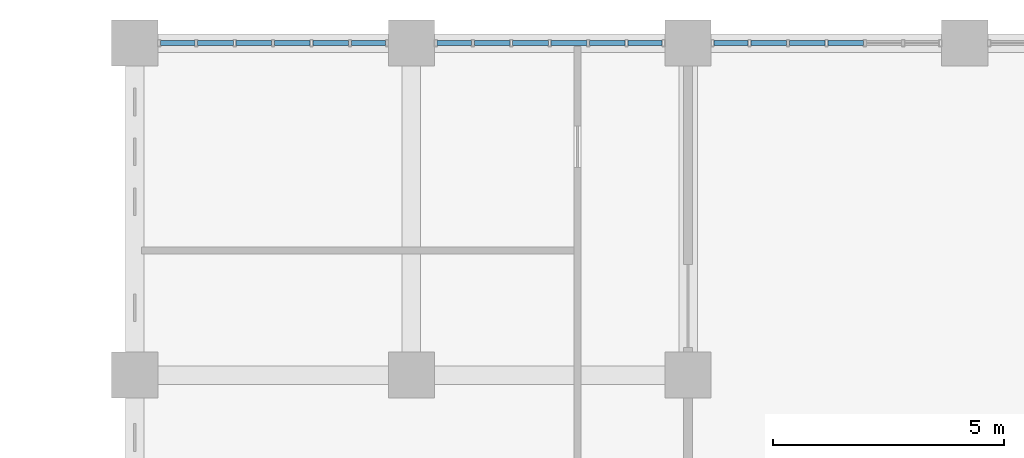
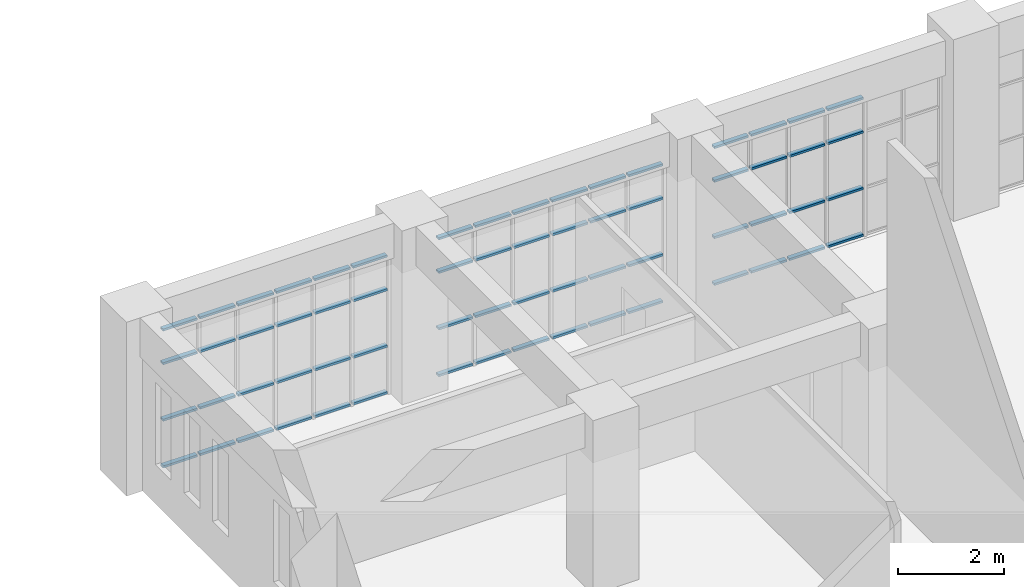
# One storey, part 51 of 92: 64 members, 3 elements without a shape of their own.
"""IFC4 building model written with IfcOpenShell, lengths in metres."""

from ifc_helpers import new_model, si_unit, direction, frame, origin, origin_2d, place, context, subcontext, project, spatial, hollow_rectangle, extrude, material, material_profile, profile_set, type_object, element, aggregate, save


model = new_model("IFC4")

# Units and contexts
model_context = context("Model", 3, precision=1e-05, world=origin(), true_north=direction((0.0, 1.0)))
body_context = subcontext(model_context, "Body", "Model", "MODEL_VIEW")
ifc_project = project(units=[si_unit("LENGTHUNIT", "METRE"), si_unit("AREAUNIT", "SQUARE_METRE"), si_unit("VOLUMEUNIT", "CUBIC_METRE"), si_unit("PLANEANGLEUNIT", "RADIAN"), si_unit("MASSUNIT", "GRAM", prefix="KILO")], contexts=[model_context])

# Site, building, storey
site_placement = place(None, origin())
site = spatial("IfcSite", under=ifc_project, at=site_placement, CompositionType="ELEMENT")
building_placement = place(site_placement, origin())
building = spatial("IfcBuilding", under=site, at=building_placement, Name="Laocheng Heights Fire and Rescue Headquarters", CompositionType="ELEMENT")
storey_placement = place(building_placement, frame((0.0, 0.0, 12.60009765625)))
storey = spatial("IfcBuildingStorey", under=building, at=storey_placement, Name="L03", CompositionType="ELEMENT", Elevation=12.60009765625)

# Curtain wall, members
ifc_material_1 = material(Name="Dark anodised aluminium unitised curtain wall, low-e double glazing", Category="aluminium")
curtain_wall_type = type_object("IfcCurtainWallType", Name="CW 5000 x 3200 HQ CONTROL ROOM FACE", PredefinedType="NOTDEFINED", material=ifc_material_1)
curtain_wall_1_placement = place(storey_placement, origin())
curtain_wall_1 = element("IfcCurtainWall", 1, at=curtain_wall_1_placement, inside=storey, type_object=curtain_wall_type, Name="X21-X HQ NORTH L03", PredefinedType="NOTDEFINED")
ifc_material_2 = material(Name="Dark anodised aluminium 6063-T5 extrusion", Category="aluminium")
ifc_material_profile = material_profile(ifc_material_2, hollow_rectangle(XDim=0.10009765625, YDim=0.050048828125, WallThickness=0.0029296875, at=origin_2d()), Name="AL TRANSOM 100x50x3 HQ CONTROL ROOM FACE")
ifc_profile_set = profile_set([ifc_material_profile], Name="Dark anodised aluminium 6063-T5 extrusion")
member_type = type_object("IfcMemberType", Name="AL TRANSOM 100x50x3 HQ CONTROL ROOM FACE", PredefinedType="USERDEFINED", material=ifc_profile_set)
member_1_placement = place(storey_placement, frame((36.56005859375, 72.0, 0.02490234375), z_axis=(1.0, 0.0, 0.0), x_axis=(0.0, 1.0, 0.0)))
member_1 = element("IfcMember", 2, at=member_1_placement, type_object=member_type, Name="X21-X transom 1.1", ObjectType="TRANSOM", PredefinedType="USERDEFINED", context=body_context, shape_type="SweptSolid", body=[
    extrude(hollow_rectangle(XDim=0.10009765625, YDim=0.050048828125, WallThickness=0.0029296875, at=origin_2d()), origin(), (0.0, 0.0, 1.0), 0.7431640625),
])
member_2_placement = place(storey_placement, frame((36.56005859375, 72.0, 1.099853515625), z_axis=(1.0, 0.0, 0.0), x_axis=(0.0, 1.0, 0.0)))
member_2 = element("IfcMember", 3, at=member_2_placement, type_object=member_type, Name="X21-X transom 1.2", ObjectType="TRANSOM", PredefinedType="USERDEFINED", context=body_context, shape_type="SweptSolid", body=[
    extrude(hollow_rectangle(XDim=0.10009765625, YDim=0.050048828125, WallThickness=0.0029296875, at=origin_2d()), origin(), (0.0, 0.0, 1.0), 0.7431640625),
])
member_3_placement = place(storey_placement, frame((36.56005859375, 72.0, 2.39990234375), z_axis=(1.0, 0.0, 0.0), x_axis=(0.0, 1.0, 0.0)))
member_3 = element("IfcMember", 4, at=member_3_placement, type_object=member_type, Name="X21-X transom 1.3", ObjectType="TRANSOM", PredefinedType="USERDEFINED", context=body_context, shape_type="SweptSolid", body=[
    extrude(hollow_rectangle(XDim=0.10009765625, YDim=0.050048828125, WallThickness=0.0029296875, at=origin_2d()), origin(), (0.0, 0.0, 1.0), 0.7431640625),
])
member_4_placement = place(storey_placement, frame((36.56005859375, 72.0, 3.1748046875), z_axis=(1.0, 0.0, 0.0), x_axis=(0.0, 1.0, 0.0)))
member_4 = element("IfcMember", 5, at=member_4_placement, type_object=member_type, Name="X21-X transom 1.4", ObjectType="TRANSOM", PredefinedType="USERDEFINED", context=body_context, shape_type="SweptSolid", body=[
    extrude(hollow_rectangle(XDim=0.10009765625, YDim=0.050048828125, WallThickness=0.0029296875, at=origin_2d()), origin(), (0.0, 0.0, 1.0), 0.7431640625),
])
member_5_placement = place(storey_placement, frame((37.36328125, 72.0, 0.02490234375), z_axis=(1.0, 0.0, 0.0), x_axis=(0.0, 1.0, 0.0)))
member_5 = element("IfcMember", 6, at=member_5_placement, type_object=member_type, Name="X21-X transom 2.1", ObjectType="TRANSOM", PredefinedType="USERDEFINED", context=body_context, shape_type="SweptSolid", body=[
    extrude(hollow_rectangle(XDim=0.10009765625, YDim=0.050048828125, WallThickness=0.0029296875, at=origin_2d()), origin(), (0.0, 0.0, 1.0), 0.7734375),
])
member_6_placement = place(storey_placement, frame((37.36328125, 72.0, 1.099853515625), z_axis=(1.0, 0.0, 0.0), x_axis=(0.0, 1.0, 0.0)))
member_6 = element("IfcMember", 7, at=member_6_placement, type_object=member_type, Name="X21-X transom 2.2", ObjectType="TRANSOM", PredefinedType="USERDEFINED", context=body_context, shape_type="SweptSolid", body=[
    extrude(hollow_rectangle(XDim=0.10009765625, YDim=0.050048828125, WallThickness=0.0029296875, at=origin_2d()), origin(), (0.0, 0.0, 1.0), 0.7734375),
])
member_7_placement = place(storey_placement, frame((37.36328125, 72.0, 2.39990234375), z_axis=(1.0, 0.0, 0.0), x_axis=(0.0, 1.0, 0.0)))
member_7 = element("IfcMember", 8, at=member_7_placement, type_object=member_type, Name="X21-X transom 2.3", ObjectType="TRANSOM", PredefinedType="USERDEFINED", context=body_context, shape_type="SweptSolid", body=[
    extrude(hollow_rectangle(XDim=0.10009765625, YDim=0.050048828125, WallThickness=0.0029296875, at=origin_2d()), origin(), (0.0, 0.0, 1.0), 0.7734375),
])
member_8_placement = place(storey_placement, frame((37.36328125, 72.0, 3.1748046875), z_axis=(1.0, 0.0, 0.0), x_axis=(0.0, 1.0, 0.0)))
member_8 = element("IfcMember", 9, at=member_8_placement, type_object=member_type, Name="X21-X transom 2.4", ObjectType="TRANSOM", PredefinedType="USERDEFINED", context=body_context, shape_type="SweptSolid", body=[
    extrude(hollow_rectangle(XDim=0.10009765625, YDim=0.050048828125, WallThickness=0.0029296875, at=origin_2d()), origin(), (0.0, 0.0, 1.0), 0.7734375),
])
member_9_placement = place(storey_placement, frame((38.19677734375, 72.0, 0.02490234375), z_axis=(1.0, 0.0, 0.0), x_axis=(0.0, 1.0, 0.0)))
member_9 = element("IfcMember", 10, at=member_9_placement, type_object=member_type, Name="X21-X transom 3.1", ObjectType="TRANSOM", PredefinedType="USERDEFINED", context=body_context, shape_type="SweptSolid", body=[
    extrude(hollow_rectangle(XDim=0.10009765625, YDim=0.050048828125, WallThickness=0.0029296875, at=origin_2d()), origin(), (0.0, 0.0, 1.0), 0.773193359375),
])
member_10_placement = place(storey_placement, frame((38.19677734375, 72.0, 1.099853515625), z_axis=(1.0, 0.0, 0.0), x_axis=(0.0, 1.0, 0.0)))
member_10 = element("IfcMember", 11, at=member_10_placement, type_object=member_type, Name="X21-X transom 3.2", ObjectType="TRANSOM", PredefinedType="USERDEFINED", context=body_context, shape_type="SweptSolid", body=[
    extrude(hollow_rectangle(XDim=0.10009765625, YDim=0.050048828125, WallThickness=0.0029296875, at=origin_2d()), origin(), (0.0, 0.0, 1.0), 0.773193359375),
])
member_11_placement = place(storey_placement, frame((38.19677734375, 72.0, 2.39990234375), z_axis=(1.0, 0.0, 0.0), x_axis=(0.0, 1.0, 0.0)))
member_11 = element("IfcMember", 12, at=member_11_placement, type_object=member_type, Name="X21-X transom 3.3", ObjectType="TRANSOM", PredefinedType="USERDEFINED", context=body_context, shape_type="SweptSolid", body=[
    extrude(hollow_rectangle(XDim=0.10009765625, YDim=0.050048828125, WallThickness=0.0029296875, at=origin_2d()), origin(), (0.0, 0.0, 1.0), 0.773193359375),
])
member_12_placement = place(storey_placement, frame((38.19677734375, 72.0, 3.1748046875), z_axis=(1.0, 0.0, 0.0), x_axis=(0.0, 1.0, 0.0)))
member_12 = element("IfcMember", 13, at=member_12_placement, type_object=member_type, Name="X21-X transom 3.4", ObjectType="TRANSOM", PredefinedType="USERDEFINED", context=body_context, shape_type="SweptSolid", body=[
    extrude(hollow_rectangle(XDim=0.10009765625, YDim=0.050048828125, WallThickness=0.0029296875, at=origin_2d()), origin(), (0.0, 0.0, 1.0), 0.773193359375),
])
member_13_placement = place(storey_placement, frame((39.030029296875, 72.0, 0.02490234375), z_axis=(1.0, 0.0, 0.0), x_axis=(0.0, 1.0, 0.0)))
member_13 = element("IfcMember", 14, at=member_13_placement, type_object=member_type, Name="X21-X transom 4.1", ObjectType="TRANSOM", PredefinedType="USERDEFINED", context=body_context, shape_type="SweptSolid", body=[
    extrude(hollow_rectangle(XDim=0.10009765625, YDim=0.050048828125, WallThickness=0.0029296875, at=origin_2d()), origin(), (0.0, 0.0, 1.0), 0.773193359375),
])
member_14_placement = place(storey_placement, frame((39.030029296875, 72.0, 1.099853515625), z_axis=(1.0, 0.0, 0.0), x_axis=(0.0, 1.0, 0.0)))
member_14 = element("IfcMember", 15, at=member_14_placement, type_object=member_type, Name="X21-X transom 4.2", ObjectType="TRANSOM", PredefinedType="USERDEFINED", context=body_context, shape_type="SweptSolid", body=[
    extrude(hollow_rectangle(XDim=0.10009765625, YDim=0.050048828125, WallThickness=0.0029296875, at=origin_2d()), origin(), (0.0, 0.0, 1.0), 0.773193359375),
])
member_15_placement = place(storey_placement, frame((39.030029296875, 72.0, 2.39990234375), z_axis=(1.0, 0.0, 0.0), x_axis=(0.0, 1.0, 0.0)))
member_15 = element("IfcMember", 16, at=member_15_placement, type_object=member_type, Name="X21-X transom 4.3", ObjectType="TRANSOM", PredefinedType="USERDEFINED", context=body_context, shape_type="SweptSolid", body=[
    extrude(hollow_rectangle(XDim=0.10009765625, YDim=0.050048828125, WallThickness=0.0029296875, at=origin_2d()), origin(), (0.0, 0.0, 1.0), 0.773193359375),
])
member_16_placement = place(storey_placement, frame((39.030029296875, 72.0, 3.1748046875), z_axis=(1.0, 0.0, 0.0), x_axis=(0.0, 1.0, 0.0)))
member_16 = element("IfcMember", 17, at=member_16_placement, type_object=member_type, Name="X21-X transom 4.4", ObjectType="TRANSOM", PredefinedType="USERDEFINED", context=body_context, shape_type="SweptSolid", body=[
    extrude(hollow_rectangle(XDim=0.10009765625, YDim=0.050048828125, WallThickness=0.0029296875, at=origin_2d()), origin(), (0.0, 0.0, 1.0), 0.773193359375),
])
member_17_placement = place(storey_placement, frame((39.86328125, 72.0, 0.02490234375), z_axis=(1.0, 0.0, 0.0), x_axis=(0.0, 1.0, 0.0)))
member_17 = element("IfcMember", 18, at=member_17_placement, type_object=member_type, Name="X21-X transom 5.1", ObjectType="TRANSOM", PredefinedType="USERDEFINED", context=body_context, shape_type="SweptSolid", body=[
    extrude(hollow_rectangle(XDim=0.10009765625, YDim=0.050048828125, WallThickness=0.0029296875, at=origin_2d()), origin(), (0.0, 0.0, 1.0), 0.7734375),
])
member_18_placement = place(storey_placement, frame((39.86328125, 72.0, 1.099853515625), z_axis=(1.0, 0.0, 0.0), x_axis=(0.0, 1.0, 0.0)))
member_18 = element("IfcMember", 19, at=member_18_placement, type_object=member_type, Name="X21-X transom 5.2", ObjectType="TRANSOM", PredefinedType="USERDEFINED", context=body_context, shape_type="SweptSolid", body=[
    extrude(hollow_rectangle(XDim=0.10009765625, YDim=0.050048828125, WallThickness=0.0029296875, at=origin_2d()), origin(), (0.0, 0.0, 1.0), 0.7734375),
])
member_19_placement = place(storey_placement, frame((39.86328125, 72.0, 2.39990234375), z_axis=(1.0, 0.0, 0.0), x_axis=(0.0, 1.0, 0.0)))
member_19 = element("IfcMember", 20, at=member_19_placement, type_object=member_type, Name="X21-X transom 5.3", ObjectType="TRANSOM", PredefinedType="USERDEFINED", context=body_context, shape_type="SweptSolid", body=[
    extrude(hollow_rectangle(XDim=0.10009765625, YDim=0.050048828125, WallThickness=0.0029296875, at=origin_2d()), origin(), (0.0, 0.0, 1.0), 0.7734375),
])
member_20_placement = place(storey_placement, frame((39.86328125, 72.0, 3.1748046875), z_axis=(1.0, 0.0, 0.0), x_axis=(0.0, 1.0, 0.0)))
member_20 = element("IfcMember", 21, at=member_20_placement, type_object=member_type, Name="X21-X transom 5.4", ObjectType="TRANSOM", PredefinedType="USERDEFINED", context=body_context, shape_type="SweptSolid", body=[
    extrude(hollow_rectangle(XDim=0.10009765625, YDim=0.050048828125, WallThickness=0.0029296875, at=origin_2d()), origin(), (0.0, 0.0, 1.0), 0.7734375),
])
member_21_placement = place(storey_placement, frame((40.69677734375, 72.0, 0.02490234375), z_axis=(1.0, 0.0, 0.0), x_axis=(0.0, 1.0, 0.0)))
member_21 = element("IfcMember", 22, at=member_21_placement, type_object=member_type, Name="X21-X transom 6.1", ObjectType="TRANSOM", PredefinedType="USERDEFINED", context=body_context, shape_type="SweptSolid", body=[
    extrude(hollow_rectangle(XDim=0.10009765625, YDim=0.050048828125, WallThickness=0.0029296875, at=origin_2d()), origin(), (0.0, 0.0, 1.0), 0.7431640625),
])
member_22_placement = place(storey_placement, frame((40.69677734375, 72.0, 1.099853515625), z_axis=(1.0, 0.0, 0.0), x_axis=(0.0, 1.0, 0.0)))
member_22 = element("IfcMember", 23, at=member_22_placement, type_object=member_type, Name="X21-X transom 6.2", ObjectType="TRANSOM", PredefinedType="USERDEFINED", context=body_context, shape_type="SweptSolid", body=[
    extrude(hollow_rectangle(XDim=0.10009765625, YDim=0.050048828125, WallThickness=0.0029296875, at=origin_2d()), origin(), (0.0, 0.0, 1.0), 0.7431640625),
])
member_23_placement = place(storey_placement, frame((40.69677734375, 72.0, 2.39990234375), z_axis=(1.0, 0.0, 0.0), x_axis=(0.0, 1.0, 0.0)))
member_23 = element("IfcMember", 24, at=member_23_placement, type_object=member_type, Name="X21-X transom 6.3", ObjectType="TRANSOM", PredefinedType="USERDEFINED", context=body_context, shape_type="SweptSolid", body=[
    extrude(hollow_rectangle(XDim=0.10009765625, YDim=0.050048828125, WallThickness=0.0029296875, at=origin_2d()), origin(), (0.0, 0.0, 1.0), 0.7431640625),
])
member_24_placement = place(storey_placement, frame((40.69677734375, 72.0, 3.1748046875), z_axis=(1.0, 0.0, 0.0), x_axis=(0.0, 1.0, 0.0)))
member_24 = element("IfcMember", 25, at=member_24_placement, type_object=member_type, Name="X21-X transom 6.4", ObjectType="TRANSOM", PredefinedType="USERDEFINED", context=body_context, shape_type="SweptSolid", body=[
    extrude(hollow_rectangle(XDim=0.10009765625, YDim=0.050048828125, WallThickness=0.0029296875, at=origin_2d()), origin(), (0.0, 0.0, 1.0), 0.7431640625),
])
aggregate(curtain_wall_1, [member_1, member_2, member_3, member_4, member_5, member_6, member_7, member_8, member_9, member_10, member_11, member_12, member_13, member_14, member_15, member_16, member_17, member_18, member_19, member_20, member_21, member_22, member_23, member_24])

curtain_wall_2_placement = place(storey_placement, origin())
curtain_wall_2 = element("IfcCurtainWall", 26, at=curtain_wall_2_placement, inside=storey, type_object=curtain_wall_type, Name="X21-X HQ NORTH L03", PredefinedType="NOTDEFINED")
member_25_placement = place(storey_placement, frame((42.56005859375, 72.0, 0.02490234375), z_axis=(1.0, 0.0, 0.0), x_axis=(0.0, 1.0, 0.0)))
member_25 = element("IfcMember", 27, at=member_25_placement, type_object=member_type, Name="X21-X transom 1.1", ObjectType="TRANSOM", PredefinedType="USERDEFINED", context=body_context, shape_type="SweptSolid", body=[
    extrude(hollow_rectangle(XDim=0.10009765625, YDim=0.050048828125, WallThickness=0.0029296875, at=origin_2d()), origin(), (0.0, 0.0, 1.0), 0.7431640625),
])
member_26_placement = place(storey_placement, frame((42.56005859375, 72.0, 1.099853515625), z_axis=(1.0, 0.0, 0.0), x_axis=(0.0, 1.0, 0.0)))
member_26 = element("IfcMember", 28, at=member_26_placement, type_object=member_type, Name="X21-X transom 1.2", ObjectType="TRANSOM", PredefinedType="USERDEFINED", context=body_context, shape_type="SweptSolid", body=[
    extrude(hollow_rectangle(XDim=0.10009765625, YDim=0.050048828125, WallThickness=0.0029296875, at=origin_2d()), origin(), (0.0, 0.0, 1.0), 0.7431640625),
])
member_27_placement = place(storey_placement, frame((42.56005859375, 72.0, 2.39990234375), z_axis=(1.0, 0.0, 0.0), x_axis=(0.0, 1.0, 0.0)))
member_27 = element("IfcMember", 29, at=member_27_placement, type_object=member_type, Name="X21-X transom 1.3", ObjectType="TRANSOM", PredefinedType="USERDEFINED", context=body_context, shape_type="SweptSolid", body=[
    extrude(hollow_rectangle(XDim=0.10009765625, YDim=0.050048828125, WallThickness=0.0029296875, at=origin_2d()), origin(), (0.0, 0.0, 1.0), 0.7431640625),
])
member_28_placement = place(storey_placement, frame((42.56005859375, 72.0, 3.1748046875), z_axis=(1.0, 0.0, 0.0), x_axis=(0.0, 1.0, 0.0)))
member_28 = element("IfcMember", 30, at=member_28_placement, type_object=member_type, Name="X21-X transom 1.4", ObjectType="TRANSOM", PredefinedType="USERDEFINED", context=body_context, shape_type="SweptSolid", body=[
    extrude(hollow_rectangle(XDim=0.10009765625, YDim=0.050048828125, WallThickness=0.0029296875, at=origin_2d()), origin(), (0.0, 0.0, 1.0), 0.7431640625),
])
member_29_placement = place(storey_placement, frame((43.36328125, 72.0, 0.02490234375), z_axis=(1.0, 0.0, 0.0), x_axis=(0.0, 1.0, 0.0)))
member_29 = element("IfcMember", 31, at=member_29_placement, type_object=member_type, Name="X21-X transom 2.1", ObjectType="TRANSOM", PredefinedType="USERDEFINED", context=body_context, shape_type="SweptSolid", body=[
    extrude(hollow_rectangle(XDim=0.10009765625, YDim=0.050048828125, WallThickness=0.0029296875, at=origin_2d()), origin(), (0.0, 0.0, 1.0), 0.7734375),
])
member_30_placement = place(storey_placement, frame((43.36328125, 72.0, 1.099853515625), z_axis=(1.0, 0.0, 0.0), x_axis=(0.0, 1.0, 0.0)))
member_30 = element("IfcMember", 32, at=member_30_placement, type_object=member_type, Name="X21-X transom 2.2", ObjectType="TRANSOM", PredefinedType="USERDEFINED", context=body_context, shape_type="SweptSolid", body=[
    extrude(hollow_rectangle(XDim=0.10009765625, YDim=0.050048828125, WallThickness=0.0029296875, at=origin_2d()), origin(), (0.0, 0.0, 1.0), 0.7734375),
])
member_31_placement = place(storey_placement, frame((43.36328125, 72.0, 2.39990234375), z_axis=(1.0, 0.0, 0.0), x_axis=(0.0, 1.0, 0.0)))
member_31 = element("IfcMember", 33, at=member_31_placement, type_object=member_type, Name="X21-X transom 2.3", ObjectType="TRANSOM", PredefinedType="USERDEFINED", context=body_context, shape_type="SweptSolid", body=[
    extrude(hollow_rectangle(XDim=0.10009765625, YDim=0.050048828125, WallThickness=0.0029296875, at=origin_2d()), origin(), (0.0, 0.0, 1.0), 0.7734375),
])
member_32_placement = place(storey_placement, frame((43.36328125, 72.0, 3.1748046875), z_axis=(1.0, 0.0, 0.0), x_axis=(0.0, 1.0, 0.0)))
member_32 = element("IfcMember", 34, at=member_32_placement, type_object=member_type, Name="X21-X transom 2.4", ObjectType="TRANSOM", PredefinedType="USERDEFINED", context=body_context, shape_type="SweptSolid", body=[
    extrude(hollow_rectangle(XDim=0.10009765625, YDim=0.050048828125, WallThickness=0.0029296875, at=origin_2d()), origin(), (0.0, 0.0, 1.0), 0.7734375),
])
member_33_placement = place(storey_placement, frame((44.19677734375, 72.0, 0.02490234375), z_axis=(1.0, 0.0, 0.0), x_axis=(0.0, 1.0, 0.0)))
member_33 = element("IfcMember", 35, at=member_33_placement, type_object=member_type, Name="X21-X transom 3.1", ObjectType="TRANSOM", PredefinedType="USERDEFINED", context=body_context, shape_type="SweptSolid", body=[
    extrude(hollow_rectangle(XDim=0.10009765625, YDim=0.050048828125, WallThickness=0.0029296875, at=origin_2d()), origin(), (0.0, 0.0, 1.0), 0.773193359375),
])
member_34_placement = place(storey_placement, frame((44.19677734375, 72.0, 1.099853515625), z_axis=(1.0, 0.0, 0.0), x_axis=(0.0, 1.0, 0.0)))
member_34 = element("IfcMember", 36, at=member_34_placement, type_object=member_type, Name="X21-X transom 3.2", ObjectType="TRANSOM", PredefinedType="USERDEFINED", context=body_context, shape_type="SweptSolid", body=[
    extrude(hollow_rectangle(XDim=0.10009765625, YDim=0.050048828125, WallThickness=0.0029296875, at=origin_2d()), origin(), (0.0, 0.0, 1.0), 0.773193359375),
])
member_35_placement = place(storey_placement, frame((44.19677734375, 72.0, 2.39990234375), z_axis=(1.0, 0.0, 0.0), x_axis=(0.0, 1.0, 0.0)))
member_35 = element("IfcMember", 37, at=member_35_placement, type_object=member_type, Name="X21-X transom 3.3", ObjectType="TRANSOM", PredefinedType="USERDEFINED", context=body_context, shape_type="SweptSolid", body=[
    extrude(hollow_rectangle(XDim=0.10009765625, YDim=0.050048828125, WallThickness=0.0029296875, at=origin_2d()), origin(), (0.0, 0.0, 1.0), 0.773193359375),
])
member_36_placement = place(storey_placement, frame((44.19677734375, 72.0, 3.1748046875), z_axis=(1.0, 0.0, 0.0), x_axis=(0.0, 1.0, 0.0)))
member_36 = element("IfcMember", 38, at=member_36_placement, type_object=member_type, Name="X21-X transom 3.4", ObjectType="TRANSOM", PredefinedType="USERDEFINED", context=body_context, shape_type="SweptSolid", body=[
    extrude(hollow_rectangle(XDim=0.10009765625, YDim=0.050048828125, WallThickness=0.0029296875, at=origin_2d()), origin(), (0.0, 0.0, 1.0), 0.773193359375),
])
member_37_placement = place(storey_placement, frame((45.030029296875, 72.0, 0.02490234375), z_axis=(1.0, 0.0, 0.0), x_axis=(0.0, 1.0, 0.0)))
member_37 = element("IfcMember", 39, at=member_37_placement, type_object=member_type, Name="X21-X transom 4.1", ObjectType="TRANSOM", PredefinedType="USERDEFINED", context=body_context, shape_type="SweptSolid", body=[
    extrude(hollow_rectangle(XDim=0.10009765625, YDim=0.050048828125, WallThickness=0.0029296875, at=origin_2d()), origin(), (0.0, 0.0, 1.0), 0.773193359375),
])
member_38_placement = place(storey_placement, frame((45.030029296875, 72.0, 1.099853515625), z_axis=(1.0, 0.0, 0.0), x_axis=(0.0, 1.0, 0.0)))
member_38 = element("IfcMember", 40, at=member_38_placement, type_object=member_type, Name="X21-X transom 4.2", ObjectType="TRANSOM", PredefinedType="USERDEFINED", context=body_context, shape_type="SweptSolid", body=[
    extrude(hollow_rectangle(XDim=0.10009765625, YDim=0.050048828125, WallThickness=0.0029296875, at=origin_2d()), origin(), (0.0, 0.0, 1.0), 0.773193359375),
])
member_39_placement = place(storey_placement, frame((45.030029296875, 72.0, 2.39990234375), z_axis=(1.0, 0.0, 0.0), x_axis=(0.0, 1.0, 0.0)))
member_39 = element("IfcMember", 41, at=member_39_placement, type_object=member_type, Name="X21-X transom 4.3", ObjectType="TRANSOM", PredefinedType="USERDEFINED", context=body_context, shape_type="SweptSolid", body=[
    extrude(hollow_rectangle(XDim=0.10009765625, YDim=0.050048828125, WallThickness=0.0029296875, at=origin_2d()), origin(), (0.0, 0.0, 1.0), 0.773193359375),
])
member_40_placement = place(storey_placement, frame((45.030029296875, 72.0, 3.1748046875), z_axis=(1.0, 0.0, 0.0), x_axis=(0.0, 1.0, 0.0)))
member_40 = element("IfcMember", 42, at=member_40_placement, type_object=member_type, Name="X21-X transom 4.4", ObjectType="TRANSOM", PredefinedType="USERDEFINED", context=body_context, shape_type="SweptSolid", body=[
    extrude(hollow_rectangle(XDim=0.10009765625, YDim=0.050048828125, WallThickness=0.0029296875, at=origin_2d()), origin(), (0.0, 0.0, 1.0), 0.773193359375),
])
member_41_placement = place(storey_placement, frame((45.86328125, 72.0, 0.02490234375), z_axis=(1.0, 0.0, 0.0), x_axis=(0.0, 1.0, 0.0)))
member_41 = element("IfcMember", 43, at=member_41_placement, type_object=member_type, Name="X21-X transom 5.1", ObjectType="TRANSOM", PredefinedType="USERDEFINED", context=body_context, shape_type="SweptSolid", body=[
    extrude(hollow_rectangle(XDim=0.10009765625, YDim=0.050048828125, WallThickness=0.0029296875, at=origin_2d()), origin(), (0.0, 0.0, 1.0), 0.7734375),
])
member_42_placement = place(storey_placement, frame((45.86328125, 72.0, 1.099853515625), z_axis=(1.0, 0.0, 0.0), x_axis=(0.0, 1.0, 0.0)))
member_42 = element("IfcMember", 44, at=member_42_placement, type_object=member_type, Name="X21-X transom 5.2", ObjectType="TRANSOM", PredefinedType="USERDEFINED", context=body_context, shape_type="SweptSolid", body=[
    extrude(hollow_rectangle(XDim=0.10009765625, YDim=0.050048828125, WallThickness=0.0029296875, at=origin_2d()), origin(), (0.0, 0.0, 1.0), 0.7734375),
])
member_43_placement = place(storey_placement, frame((45.86328125, 72.0, 2.39990234375), z_axis=(1.0, 0.0, 0.0), x_axis=(0.0, 1.0, 0.0)))
member_43 = element("IfcMember", 45, at=member_43_placement, type_object=member_type, Name="X21-X transom 5.3", ObjectType="TRANSOM", PredefinedType="USERDEFINED", context=body_context, shape_type="SweptSolid", body=[
    extrude(hollow_rectangle(XDim=0.10009765625, YDim=0.050048828125, WallThickness=0.0029296875, at=origin_2d()), origin(), (0.0, 0.0, 1.0), 0.7734375),
])
member_44_placement = place(storey_placement, frame((45.86328125, 72.0, 3.1748046875), z_axis=(1.0, 0.0, 0.0), x_axis=(0.0, 1.0, 0.0)))
member_44 = element("IfcMember", 46, at=member_44_placement, type_object=member_type, Name="X21-X transom 5.4", ObjectType="TRANSOM", PredefinedType="USERDEFINED", context=body_context, shape_type="SweptSolid", body=[
    extrude(hollow_rectangle(XDim=0.10009765625, YDim=0.050048828125, WallThickness=0.0029296875, at=origin_2d()), origin(), (0.0, 0.0, 1.0), 0.7734375),
])
member_45_placement = place(storey_placement, frame((46.69677734375, 72.0, 0.02490234375), z_axis=(1.0, 0.0, 0.0), x_axis=(0.0, 1.0, 0.0)))
member_45 = element("IfcMember", 47, at=member_45_placement, type_object=member_type, Name="X21-X transom 6.1", ObjectType="TRANSOM", PredefinedType="USERDEFINED", context=body_context, shape_type="SweptSolid", body=[
    extrude(hollow_rectangle(XDim=0.10009765625, YDim=0.050048828125, WallThickness=0.0029296875, at=origin_2d()), origin(), (0.0, 0.0, 1.0), 0.7431640625),
])
member_46_placement = place(storey_placement, frame((46.69677734375, 72.0, 1.099853515625), z_axis=(1.0, 0.0, 0.0), x_axis=(0.0, 1.0, 0.0)))
member_46 = element("IfcMember", 48, at=member_46_placement, type_object=member_type, Name="X21-X transom 6.2", ObjectType="TRANSOM", PredefinedType="USERDEFINED", context=body_context, shape_type="SweptSolid", body=[
    extrude(hollow_rectangle(XDim=0.10009765625, YDim=0.050048828125, WallThickness=0.0029296875, at=origin_2d()), origin(), (0.0, 0.0, 1.0), 0.7431640625),
])
member_47_placement = place(storey_placement, frame((46.69677734375, 72.0, 2.39990234375), z_axis=(1.0, 0.0, 0.0), x_axis=(0.0, 1.0, 0.0)))
member_47 = element("IfcMember", 49, at=member_47_placement, type_object=member_type, Name="X21-X transom 6.3", ObjectType="TRANSOM", PredefinedType="USERDEFINED", context=body_context, shape_type="SweptSolid", body=[
    extrude(hollow_rectangle(XDim=0.10009765625, YDim=0.050048828125, WallThickness=0.0029296875, at=origin_2d()), origin(), (0.0, 0.0, 1.0), 0.7431640625),
])
member_48_placement = place(storey_placement, frame((46.69677734375, 72.0, 3.1748046875), z_axis=(1.0, 0.0, 0.0), x_axis=(0.0, 1.0, 0.0)))
member_48 = element("IfcMember", 50, at=member_48_placement, type_object=member_type, Name="X21-X transom 6.4", ObjectType="TRANSOM", PredefinedType="USERDEFINED", context=body_context, shape_type="SweptSolid", body=[
    extrude(hollow_rectangle(XDim=0.10009765625, YDim=0.050048828125, WallThickness=0.0029296875, at=origin_2d()), origin(), (0.0, 0.0, 1.0), 0.7431640625),
])
aggregate(curtain_wall_2, [member_25, member_26, member_27, member_28, member_29, member_30, member_31, member_32, member_33, member_34, member_35, member_36, member_37, member_38, member_39, member_40, member_41, member_42, member_43, member_44, member_45, member_46, member_47, member_48])

curtain_wall_3_placement = place(storey_placement, origin())
curtain_wall_3 = element("IfcCurtainWall", 51, at=curtain_wall_3_placement, inside=storey, type_object=curtain_wall_type, Name="X21-X HQ NORTH L03", PredefinedType="NOTDEFINED")
member_49_placement = place(storey_placement, frame((48.56005859375, 72.0, 0.02490234375), z_axis=(1.0, 0.0, 0.0), x_axis=(0.0, 1.0, 0.0)))
member_49 = element("IfcMember", 52, at=member_49_placement, type_object=member_type, Name="X21-X transom 1.1", ObjectType="TRANSOM", PredefinedType="USERDEFINED", context=body_context, shape_type="SweptSolid", body=[
    extrude(hollow_rectangle(XDim=0.10009765625, YDim=0.050048828125, WallThickness=0.0029296875, at=origin_2d()), origin(), (0.0, 0.0, 1.0), 0.7431640625),
])
member_50_placement = place(storey_placement, frame((48.56005859375, 72.0, 1.099853515625), z_axis=(1.0, 0.0, 0.0), x_axis=(0.0, 1.0, 0.0)))
member_50 = element("IfcMember", 53, at=member_50_placement, type_object=member_type, Name="X21-X transom 1.2", ObjectType="TRANSOM", PredefinedType="USERDEFINED", context=body_context, shape_type="SweptSolid", body=[
    extrude(hollow_rectangle(XDim=0.10009765625, YDim=0.050048828125, WallThickness=0.0029296875, at=origin_2d()), origin(), (0.0, 0.0, 1.0), 0.7431640625),
])
member_51_placement = place(storey_placement, frame((48.56005859375, 72.0, 2.39990234375), z_axis=(1.0, 0.0, 0.0), x_axis=(0.0, 1.0, 0.0)))
member_51 = element("IfcMember", 54, at=member_51_placement, type_object=member_type, Name="X21-X transom 1.3", ObjectType="TRANSOM", PredefinedType="USERDEFINED", context=body_context, shape_type="SweptSolid", body=[
    extrude(hollow_rectangle(XDim=0.10009765625, YDim=0.050048828125, WallThickness=0.0029296875, at=origin_2d()), origin(), (0.0, 0.0, 1.0), 0.7431640625),
])
member_52_placement = place(storey_placement, frame((48.56005859375, 72.0, 3.1748046875), z_axis=(1.0, 0.0, 0.0), x_axis=(0.0, 1.0, 0.0)))
member_52 = element("IfcMember", 55, at=member_52_placement, type_object=member_type, Name="X21-X transom 1.4", ObjectType="TRANSOM", PredefinedType="USERDEFINED", context=body_context, shape_type="SweptSolid", body=[
    extrude(hollow_rectangle(XDim=0.10009765625, YDim=0.050048828125, WallThickness=0.0029296875, at=origin_2d()), origin(), (0.0, 0.0, 1.0), 0.7431640625),
])
member_53_placement = place(storey_placement, frame((49.36328125, 72.0, 0.02490234375), z_axis=(1.0, 0.0, 0.0), x_axis=(0.0, 1.0, 0.0)))
member_53 = element("IfcMember", 56, at=member_53_placement, type_object=member_type, Name="X21-X transom 2.1", ObjectType="TRANSOM", PredefinedType="USERDEFINED", context=body_context, shape_type="SweptSolid", body=[
    extrude(hollow_rectangle(XDim=0.10009765625, YDim=0.050048828125, WallThickness=0.0029296875, at=origin_2d()), origin(), (0.0, 0.0, 1.0), 0.7734375),
])
member_54_placement = place(storey_placement, frame((49.36328125, 72.0, 1.099853515625), z_axis=(1.0, 0.0, 0.0), x_axis=(0.0, 1.0, 0.0)))
member_54 = element("IfcMember", 57, at=member_54_placement, type_object=member_type, Name="X21-X transom 2.2", ObjectType="TRANSOM", PredefinedType="USERDEFINED", context=body_context, shape_type="SweptSolid", body=[
    extrude(hollow_rectangle(XDim=0.10009765625, YDim=0.050048828125, WallThickness=0.0029296875, at=origin_2d()), origin(), (0.0, 0.0, 1.0), 0.7734375),
])
member_55_placement = place(storey_placement, frame((49.36328125, 72.0, 2.39990234375), z_axis=(1.0, 0.0, 0.0), x_axis=(0.0, 1.0, 0.0)))
member_55 = element("IfcMember", 58, at=member_55_placement, type_object=member_type, Name="X21-X transom 2.3", ObjectType="TRANSOM", PredefinedType="USERDEFINED", context=body_context, shape_type="SweptSolid", body=[
    extrude(hollow_rectangle(XDim=0.10009765625, YDim=0.050048828125, WallThickness=0.0029296875, at=origin_2d()), origin(), (0.0, 0.0, 1.0), 0.7734375),
])
member_56_placement = place(storey_placement, frame((49.36328125, 72.0, 3.1748046875), z_axis=(1.0, 0.0, 0.0), x_axis=(0.0, 1.0, 0.0)))
member_56 = element("IfcMember", 59, at=member_56_placement, type_object=member_type, Name="X21-X transom 2.4", ObjectType="TRANSOM", PredefinedType="USERDEFINED", context=body_context, shape_type="SweptSolid", body=[
    extrude(hollow_rectangle(XDim=0.10009765625, YDim=0.050048828125, WallThickness=0.0029296875, at=origin_2d()), origin(), (0.0, 0.0, 1.0), 0.7734375),
])
member_57_placement = place(storey_placement, frame((50.19677734375, 72.0, 0.02490234375), z_axis=(1.0, 0.0, 0.0), x_axis=(0.0, 1.0, 0.0)))
member_57 = element("IfcMember", 60, at=member_57_placement, type_object=member_type, Name="X21-X transom 3.1", ObjectType="TRANSOM", PredefinedType="USERDEFINED", context=body_context, shape_type="SweptSolid", body=[
    extrude(hollow_rectangle(XDim=0.10009765625, YDim=0.050048828125, WallThickness=0.0029296875, at=origin_2d()), origin(), (0.0, 0.0, 1.0), 0.773193359375),
])
member_58_placement = place(storey_placement, frame((50.19677734375, 72.0, 1.099853515625), z_axis=(1.0, 0.0, 0.0), x_axis=(0.0, 1.0, 0.0)))
member_58 = element("IfcMember", 61, at=member_58_placement, type_object=member_type, Name="X21-X transom 3.2", ObjectType="TRANSOM", PredefinedType="USERDEFINED", context=body_context, shape_type="SweptSolid", body=[
    extrude(hollow_rectangle(XDim=0.10009765625, YDim=0.050048828125, WallThickness=0.0029296875, at=origin_2d()), origin(), (0.0, 0.0, 1.0), 0.773193359375),
])
member_59_placement = place(storey_placement, frame((50.19677734375, 72.0, 2.39990234375), z_axis=(1.0, 0.0, 0.0), x_axis=(0.0, 1.0, 0.0)))
member_59 = element("IfcMember", 62, at=member_59_placement, type_object=member_type, Name="X21-X transom 3.3", ObjectType="TRANSOM", PredefinedType="USERDEFINED", context=body_context, shape_type="SweptSolid", body=[
    extrude(hollow_rectangle(XDim=0.10009765625, YDim=0.050048828125, WallThickness=0.0029296875, at=origin_2d()), origin(), (0.0, 0.0, 1.0), 0.773193359375),
])
member_60_placement = place(storey_placement, frame((50.19677734375, 72.0, 3.1748046875), z_axis=(1.0, 0.0, 0.0), x_axis=(0.0, 1.0, 0.0)))
member_60 = element("IfcMember", 63, at=member_60_placement, type_object=member_type, Name="X21-X transom 3.4", ObjectType="TRANSOM", PredefinedType="USERDEFINED", context=body_context, shape_type="SweptSolid", body=[
    extrude(hollow_rectangle(XDim=0.10009765625, YDim=0.050048828125, WallThickness=0.0029296875, at=origin_2d()), origin(), (0.0, 0.0, 1.0), 0.773193359375),
])
member_61_placement = place(storey_placement, frame((51.030029296875, 72.0, 0.02490234375), z_axis=(1.0, 0.0, 0.0), x_axis=(0.0, 1.0, 0.0)))
member_61 = element("IfcMember", 64, at=member_61_placement, type_object=member_type, Name="X21-X transom 4.1", ObjectType="TRANSOM", PredefinedType="USERDEFINED", context=body_context, shape_type="SweptSolid", body=[
    extrude(hollow_rectangle(XDim=0.10009765625, YDim=0.050048828125, WallThickness=0.0029296875, at=origin_2d()), origin(), (0.0, 0.0, 1.0), 0.773193359375),
])
member_62_placement = place(storey_placement, frame((51.030029296875, 72.0, 1.099853515625), z_axis=(1.0, 0.0, 0.0), x_axis=(0.0, 1.0, 0.0)))
member_62 = element("IfcMember", 65, at=member_62_placement, type_object=member_type, Name="X21-X transom 4.2", ObjectType="TRANSOM", PredefinedType="USERDEFINED", context=body_context, shape_type="SweptSolid", body=[
    extrude(hollow_rectangle(XDim=0.10009765625, YDim=0.050048828125, WallThickness=0.0029296875, at=origin_2d()), origin(), (0.0, 0.0, 1.0), 0.773193359375),
])
member_63_placement = place(storey_placement, frame((51.030029296875, 72.0, 2.39990234375), z_axis=(1.0, 0.0, 0.0), x_axis=(0.0, 1.0, 0.0)))
member_63 = element("IfcMember", 66, at=member_63_placement, type_object=member_type, Name="X21-X transom 4.3", ObjectType="TRANSOM", PredefinedType="USERDEFINED", context=body_context, shape_type="SweptSolid", body=[
    extrude(hollow_rectangle(XDim=0.10009765625, YDim=0.050048828125, WallThickness=0.0029296875, at=origin_2d()), origin(), (0.0, 0.0, 1.0), 0.773193359375),
])
member_64_placement = place(storey_placement, frame((51.030029296875, 72.0, 3.1748046875), z_axis=(1.0, 0.0, 0.0), x_axis=(0.0, 1.0, 0.0)))
member_64 = element("IfcMember", 67, at=member_64_placement, type_object=member_type, Name="X21-X transom 4.4", ObjectType="TRANSOM", PredefinedType="USERDEFINED", context=body_context, shape_type="SweptSolid", body=[
    extrude(hollow_rectangle(XDim=0.10009765625, YDim=0.050048828125, WallThickness=0.0029296875, at=origin_2d()), origin(), (0.0, 0.0, 1.0), 0.773193359375),
])
aggregate(curtain_wall_3, [member_49, member_50, member_51, member_52, member_53, member_54, member_55, member_56, member_57, member_58, member_59, member_60, member_61, member_62, member_63, member_64])

save(model, "model.ifc")
